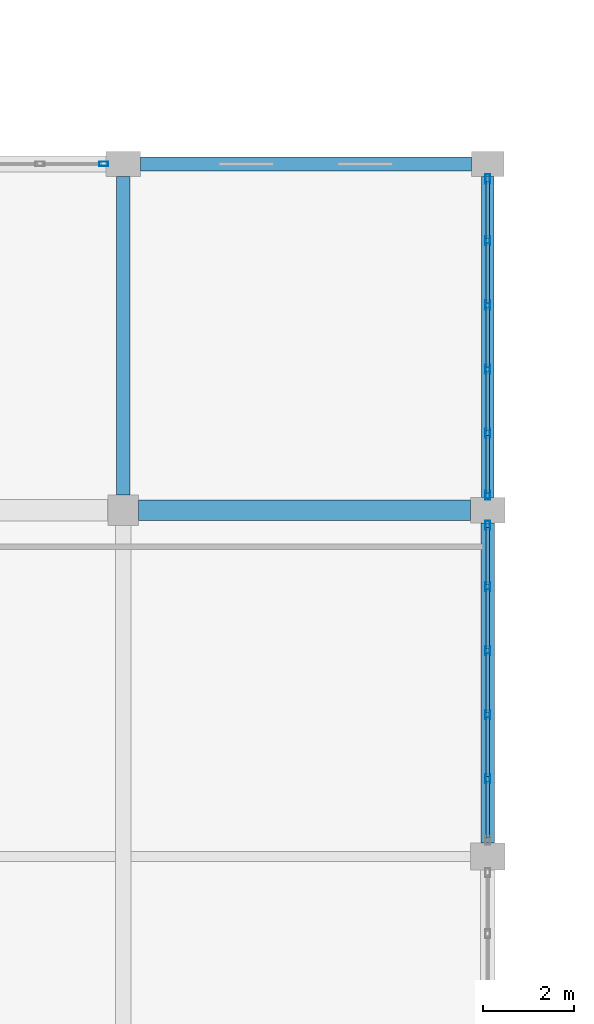
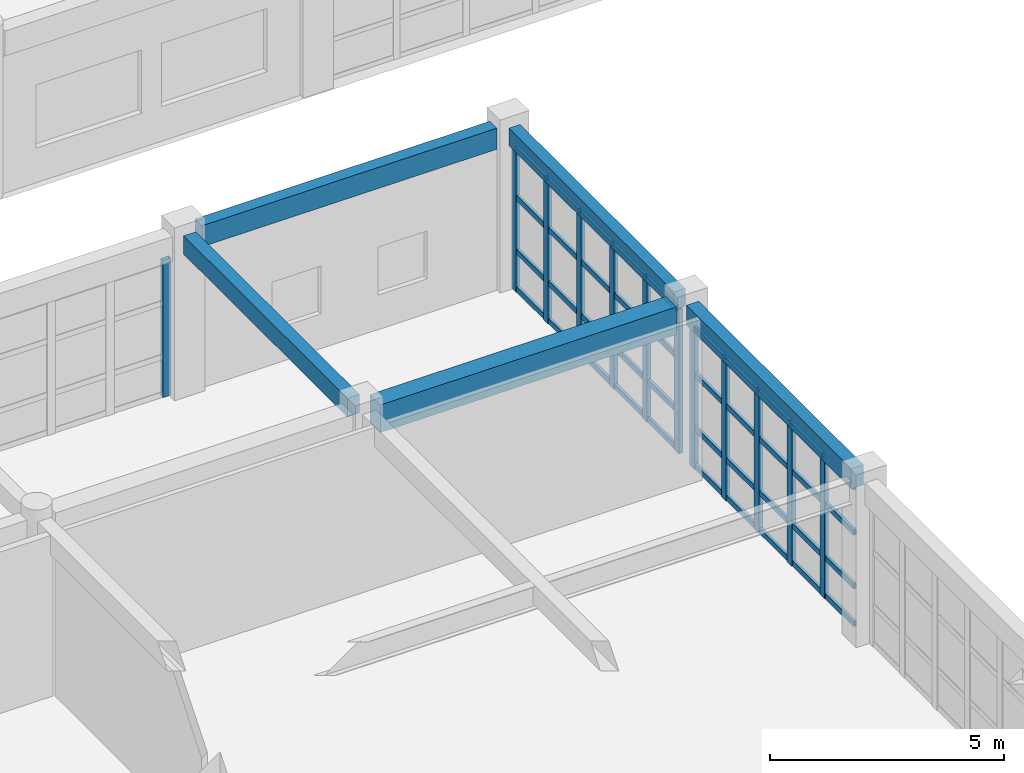
# One storey, part 88 of 160: 52 members, 5 beams, 3 elements without a shape of their own.
"""IFC4 building model written with IfcOpenShell, lengths in metres."""

from ifc_helpers import new_model, si_unit, direction, frame, origin, origin_2d, place, context, subcontext, project, spatial, rectangle, hollow_rectangle, extrude, material, material_profile, profile_set, type_object, element, aggregate, save


model = new_model("IFC4")

# Units and contexts
model_context = context("Model", 3, precision=1e-05, world=origin(), true_north=direction((0.0, 1.0)))
body_context = subcontext(model_context, "Body", "Model", "MODEL_VIEW")
ifc_project = project(units=[si_unit("LENGTHUNIT", "METRE"), si_unit("AREAUNIT", "SQUARE_METRE"), si_unit("VOLUMEUNIT", "CUBIC_METRE"), si_unit("PLANEANGLEUNIT", "RADIAN"), si_unit("MASSUNIT", "GRAM", prefix="KILO")], contexts=[model_context])

# Site, building, storey
site_placement = place(None, origin())
site = spatial("IfcSite", under=ifc_project, at=site_placement, CompositionType="ELEMENT")
building_placement = place(site_placement, origin())
building = spatial("IfcBuilding", under=site, at=building_placement, Name="Kharva Crest Polytechnic", CompositionType="ELEMENT")
storey_placement = place(building_placement, frame((0.0, 0.0, 4.5)))
storey = spatial("IfcBuildingStorey", under=building, at=storey_placement, Name="L01", CompositionType="ELEMENT", Elevation=4.5)

# Beams
ifc_material_1 = material(Name="Concrete C35/45", Category="concrete")
ifc_material_profile_1 = material_profile(ifc_material_1, rectangle(XDim=0.300048828125, YDim=0.47998046875, at=origin_2d()), Name="RECT 300 X 480")
ifc_profile_set_1 = profile_set([ifc_material_profile_1], Name="Concrete C35/45")
beam_type_1 = type_object("IfcBeamType", Name="BM-RC-300X480", PredefinedType="BEAM", material=ifc_profile_set_1)
beam_1_placement = place(storey_placement, frame((160.800048828125, 23.139892578125, 3.97998046875), z_axis=(0.0, 1.0, 0.0), x_axis=(-1.0, 0.0, 0.0)))
element("IfcBeam", 1, at=beam_1_placement, inside=storey, type_object=beam_type_1, Name="L01 Girder 21/D-E", PredefinedType="BEAM", context=body_context, shape_type="SweptSolid", body=[
    extrude(rectangle(XDim=0.300048828125, YDim=0.47998046875, at=origin_2d()), origin(), (0.0, 0.0, 1.0), 6.985107421875),
])
ifc_material_profile_2 = material_profile(ifc_material_1, rectangle(XDim=0.449951171875, YDim=0.719970703125, at=origin_2d()), Name="RECT 450 X 720")
ifc_profile_set_2 = profile_set([ifc_material_profile_2], Name="Concrete C35/45")
beam_type_2 = type_object("IfcBeamType", Name="BM-RC-450X720", PredefinedType="BEAM", material=ifc_profile_set_2)
beam_2_placement = place(storey_placement, frame((161.139892578125, 22.800048828125, 3.860107421875), z_axis=(1.0, 0.0, 0.0), x_axis=(0.0, 1.0, 0.0)))
element("IfcBeam", 2, at=beam_2_placement, inside=storey, type_object=beam_type_2, Name="L01 Beam D/21-22", PredefinedType="BEAM", context=body_context, shape_type="SweptSolid", body=[
    extrude(rectangle(XDim=0.449951171875, YDim=0.719970703125, at=origin_2d()), origin(), (0.0, 0.0, 1.0), 7.28515625),
])

# Curtain wall, members
ifc_material_2 = material(Name="Tempered insulated glass", Category="glass")
curtain_wall_type = type_object("IfcCurtainWallType", Name="CW-SYS-REFECTORY", PredefinedType="USERDEFINED", material=ifc_material_2)
curtain_wall_1_placement = place(storey_placement, origin())
curtain_wall_1 = element("IfcCurtainWall", 3, at=curtain_wall_1_placement, inside=storey, type_object=curtain_wall_type, Name="L01 Glazed Curtain Wall CW-049", ObjectType="CURTAIN WALL", PredefinedType="USERDEFINED")
ifc_material_3 = material(Name="Steel S355", Category="steel")
ifc_material_profile_3 = material_profile(ifc_material_3, hollow_rectangle(XDim=0.10009765625, YDim=0.199951171875, WallThickness=0.00634765625, at=origin_2d()), Name="RHS 200X100X6.3")
ifc_profile_set_3 = profile_set([ifc_material_profile_3], Name="Steel S355")
member_type_1 = type_object("IfcMemberType", Name="CWM-RHS200X100", PredefinedType="MULLION", material=ifc_profile_set_3)
member_1_placement = place(storey_placement, frame((168.800048828125, 16.907958984375, 0.0), z_axis=(0.0, 0.0, 1.0), x_axis=(-1.0, 0.0, 0.0)))
member_1 = element("IfcMember", 4, at=member_1_placement, type_object=member_type_1, Name="CW-049 mullion 2", PredefinedType="MULLION", context=body_context, shape_type="SweptSolid", body=[
    extrude(hollow_rectangle(XDim=0.10009765625, YDim=0.199951171875, WallThickness=0.00634765625, at=origin_2d()), origin(), (0.0, 0.0, 1.0), 3.699951171875),
])
member_2_placement = place(storey_placement, frame((168.800048828125, 18.31103515625, 0.0), z_axis=(0.0, 0.0, 1.0), x_axis=(-1.0, 0.0, 0.0)))
member_2 = element("IfcMember", 5, at=member_2_placement, type_object=member_type_1, Name="CW-049 mullion 3", PredefinedType="MULLION", context=body_context, shape_type="SweptSolid", body=[
    extrude(hollow_rectangle(XDim=0.10009765625, YDim=0.199951171875, WallThickness=0.00634765625, at=origin_2d()), origin(), (0.0, 0.0, 1.0), 3.699951171875),
])
member_3_placement = place(storey_placement, frame((168.800048828125, 19.714111328125, 0.0), z_axis=(0.0, 0.0, 1.0), x_axis=(-1.0, 0.0, 0.0)))
member_3 = element("IfcMember", 6, at=member_3_placement, type_object=member_type_1, Name="CW-049 mullion 4", PredefinedType="MULLION", context=body_context, shape_type="SweptSolid", body=[
    extrude(hollow_rectangle(XDim=0.10009765625, YDim=0.199951171875, WallThickness=0.00634765625, at=origin_2d()), origin(), (0.0, 0.0, 1.0), 3.699951171875),
])
member_4_placement = place(storey_placement, frame((168.800048828125, 21.116943359375, 0.0), z_axis=(0.0, 0.0, 1.0), x_axis=(-1.0, 0.0, 0.0)))
member_4 = element("IfcMember", 7, at=member_4_placement, type_object=member_type_1, Name="CW-049 mullion 5", PredefinedType="MULLION", context=body_context, shape_type="SweptSolid", body=[
    extrude(hollow_rectangle(XDim=0.10009765625, YDim=0.199951171875, WallThickness=0.00634765625, at=origin_2d()), origin(), (0.0, 0.0, 1.0), 3.699951171875),
])
member_5_placement = place(storey_placement, frame((168.800048828125, 22.469970703125, 0.0), z_axis=(0.0, 0.0, 1.0), x_axis=(-1.0, 0.0, 0.0)))
member_5 = element("IfcMember", 8, at=member_5_placement, type_object=member_type_1, Name="CW-049 mullion 6", PredefinedType="MULLION", context=body_context, shape_type="SweptSolid", body=[
    extrude(hollow_rectangle(XDim=0.10009765625, YDim=0.199951171875, WallThickness=0.00634765625, at=origin_2d()), origin(), (0.0, 0.0, 1.0), 3.699951171875),
])

curtain_wall_2_placement = place(storey_placement, origin())
curtain_wall_2 = element("IfcCurtainWall", 9, at=curtain_wall_2_placement, inside=storey, type_object=curtain_wall_type, Name="L01 Glazed Curtain Wall CW-050", ObjectType="CURTAIN WALL", PredefinedType="USERDEFINED")
member_6_placement = place(storey_placement, frame((168.800048828125, 23.1298828125, 0.0), z_axis=(0.0, 0.0, 1.0), x_axis=(-1.0, 0.0, 0.0)))
member_6 = element("IfcMember", 10, at=member_6_placement, type_object=member_type_1, Name="CW-050 mullion 1", PredefinedType="MULLION", context=body_context, shape_type="SweptSolid", body=[
    extrude(hollow_rectangle(XDim=0.10009765625, YDim=0.199951171875, WallThickness=0.00634765625, at=origin_2d()), origin(), (0.0, 0.0, 1.0), 3.760009765625),
])
member_7_placement = place(storey_placement, frame((168.800048828125, 24.488037109375, 0.0), z_axis=(0.0, 0.0, 1.0), x_axis=(-1.0, 0.0, 0.0)))
member_7 = element("IfcMember", 11, at=member_7_placement, type_object=member_type_1, Name="CW-050 mullion 2", PredefinedType="MULLION", context=body_context, shape_type="SweptSolid", body=[
    extrude(hollow_rectangle(XDim=0.10009765625, YDim=0.199951171875, WallThickness=0.00634765625, at=origin_2d()), origin(), (0.0, 0.0, 1.0), 3.760009765625),
])
member_8_placement = place(storey_placement, frame((168.800048828125, 25.89599609375, 0.0), z_axis=(0.0, 0.0, 1.0), x_axis=(-1.0, 0.0, 0.0)))
member_8 = element("IfcMember", 12, at=member_8_placement, type_object=member_type_1, Name="CW-050 mullion 3", PredefinedType="MULLION", context=body_context, shape_type="SweptSolid", body=[
    extrude(hollow_rectangle(XDim=0.10009765625, YDim=0.199951171875, WallThickness=0.00634765625, at=origin_2d()), origin(), (0.0, 0.0, 1.0), 3.760009765625),
])
member_9_placement = place(storey_placement, frame((168.800048828125, 27.303955078125, 0.0), z_axis=(0.0, 0.0, 1.0), x_axis=(-1.0, 0.0, 0.0)))
member_9 = element("IfcMember", 13, at=member_9_placement, type_object=member_type_1, Name="CW-050 mullion 4", PredefinedType="MULLION", context=body_context, shape_type="SweptSolid", body=[
    extrude(hollow_rectangle(XDim=0.10009765625, YDim=0.199951171875, WallThickness=0.00634765625, at=origin_2d()), origin(), (0.0, 0.0, 1.0), 3.760009765625),
])
member_10_placement = place(storey_placement, frame((168.800048828125, 28.7119140625, 0.0), z_axis=(0.0, 0.0, 1.0), x_axis=(-1.0, 0.0, 0.0)))
member_10 = element("IfcMember", 14, at=member_10_placement, type_object=member_type_1, Name="CW-050 mullion 5", PredefinedType="MULLION", context=body_context, shape_type="SweptSolid", body=[
    extrude(hollow_rectangle(XDim=0.10009765625, YDim=0.199951171875, WallThickness=0.00634765625, at=origin_2d()), origin(), (0.0, 0.0, 1.0), 3.760009765625),
])
member_11_placement = place(storey_placement, frame((168.800048828125, 30.070068359375, 0.0), z_axis=(0.0, 0.0, 1.0), x_axis=(-1.0, 0.0, 0.0)))
member_11 = element("IfcMember", 15, at=member_11_placement, type_object=member_type_1, Name="CW-050 mullion 6", PredefinedType="MULLION", context=body_context, shape_type="SweptSolid", body=[
    extrude(hollow_rectangle(XDim=0.10009765625, YDim=0.199951171875, WallThickness=0.00634765625, at=origin_2d()), origin(), (0.0, 0.0, 1.0), 3.760009765625),
])

# Curtain wall, member
curtain_wall_3_placement = place(storey_placement, origin())
curtain_wall_3 = element("IfcCurtainWall", 16, at=curtain_wall_3_placement, inside=storey, type_object=curtain_wall_type, Name="L01 Glazed Curtain Wall CW-051", ObjectType="CURTAIN WALL", PredefinedType="USERDEFINED")
member_12_placement = place(storey_placement, frame((160.3701171875, 30.39990234375, 0.0), z_axis=(0.0, 0.0, 1.0), x_axis=(0.0, -1.0, 0.0)))
member_12 = element("IfcMember", 17, at=member_12_placement, type_object=member_type_1, Name="CW-051 mullion 1", PredefinedType="MULLION", context=body_context, shape_type="SweptSolid", body=[
    extrude(hollow_rectangle(XDim=0.10009765625, YDim=0.199951171875, WallThickness=0.00634765625, at=origin_2d()), origin(), (0.0, 0.0, 1.0), 3.570068359375),
])
aggregate(curtain_wall_3, [member_12])

# Member
ifc_material_profile_4 = material_profile(ifc_material_3, hollow_rectangle(XDim=0.070068359375, YDim=0.139892578125, WallThickness=0.00390625, at=origin_2d()), Name="RHS 140X70X4.0")
ifc_profile_set_4 = profile_set([ifc_material_profile_4], Name="Steel S355")
member_type_2 = type_object("IfcMemberType", Name="CWT-RHS140X70", PredefinedType="USERDEFINED", material=ifc_profile_set_4)
member_13_placement = place(storey_placement, frame((168.800048828125, 15.60498046875, 0.070068359375), z_axis=(0.0, 1.0, 0.0), x_axis=(-1.0, 0.0, 0.0)))
member_13 = element("IfcMember", 18, at=member_13_placement, type_object=member_type_2, Name="CW-049 transom 1.1", ObjectType="TRANSOM", PredefinedType="USERDEFINED", context=body_context, shape_type="SweptSolid", body=[
    extrude(hollow_rectangle(XDim=0.070068359375, YDim=0.139892578125, WallThickness=0.00390625, at=origin_2d()), origin(), (0.0, 0.0, 1.0), 1.2529296875),
])

member_14_placement = place(storey_placement, frame((168.800048828125, 15.60498046875, 1.050048828125), z_axis=(0.0, 1.0, 0.0), x_axis=(-1.0, 0.0, 0.0)))
member_14 = element("IfcMember", 19, at=member_14_placement, type_object=member_type_2, Name="CW-049 transom 1.2", ObjectType="TRANSOM", PredefinedType="USERDEFINED", context=body_context, shape_type="SweptSolid", body=[
    extrude(hollow_rectangle(XDim=0.070068359375, YDim=0.139892578125, WallThickness=0.00390625, at=origin_2d()), origin(), (0.0, 0.0, 1.0), 1.2529296875),
])

member_15_placement = place(storey_placement, frame((168.800048828125, 15.60498046875, 2.449951171875), z_axis=(0.0, 1.0, 0.0), x_axis=(-1.0, 0.0, 0.0)))
member_15 = element("IfcMember", 20, at=member_15_placement, type_object=member_type_2, Name="CW-049 transom 1.3", ObjectType="TRANSOM", PredefinedType="USERDEFINED", context=body_context, shape_type="SweptSolid", body=[
    extrude(hollow_rectangle(XDim=0.070068359375, YDim=0.139892578125, WallThickness=0.00390625, at=origin_2d()), origin(), (0.0, 0.0, 1.0), 1.2529296875),
])

member_16_placement = place(storey_placement, frame((168.800048828125, 15.60498046875, 3.6298828125), z_axis=(0.0, 1.0, 0.0), x_axis=(-1.0, 0.0, 0.0)))
member_16 = element("IfcMember", 21, at=member_16_placement, type_object=member_type_2, Name="CW-049 transom 1.4", ObjectType="TRANSOM", PredefinedType="USERDEFINED", context=body_context, shape_type="SweptSolid", body=[
    extrude(hollow_rectangle(XDim=0.070068359375, YDim=0.139892578125, WallThickness=0.00390625, at=origin_2d()), origin(), (0.0, 0.0, 1.0), 1.2529296875),
])

member_17_placement = place(storey_placement, frame((168.800048828125, 16.9580078125, 0.070068359375), z_axis=(0.0, 1.0, 0.0), x_axis=(-1.0, 0.0, 0.0)))
member_17 = element("IfcMember", 22, at=member_17_placement, type_object=member_type_2, Name="CW-049 transom 2.1", ObjectType="TRANSOM", PredefinedType="USERDEFINED", context=body_context, shape_type="SweptSolid", body=[
    extrude(hollow_rectangle(XDim=0.070068359375, YDim=0.139892578125, WallThickness=0.00390625, at=origin_2d()), origin(), (0.0, 0.0, 1.0), 1.302978515625),
])

member_18_placement = place(storey_placement, frame((168.800048828125, 16.9580078125, 1.050048828125), z_axis=(0.0, 1.0, 0.0), x_axis=(-1.0, 0.0, 0.0)))
member_18 = element("IfcMember", 23, at=member_18_placement, type_object=member_type_2, Name="CW-049 transom 2.2", ObjectType="TRANSOM", PredefinedType="USERDEFINED", context=body_context, shape_type="SweptSolid", body=[
    extrude(hollow_rectangle(XDim=0.070068359375, YDim=0.139892578125, WallThickness=0.00390625, at=origin_2d()), origin(), (0.0, 0.0, 1.0), 1.302978515625),
])

member_19_placement = place(storey_placement, frame((168.800048828125, 16.9580078125, 2.449951171875), z_axis=(0.0, 1.0, 0.0), x_axis=(-1.0, 0.0, 0.0)))
member_19 = element("IfcMember", 24, at=member_19_placement, type_object=member_type_2, Name="CW-049 transom 2.3", ObjectType="TRANSOM", PredefinedType="USERDEFINED", context=body_context, shape_type="SweptSolid", body=[
    extrude(hollow_rectangle(XDim=0.070068359375, YDim=0.139892578125, WallThickness=0.00390625, at=origin_2d()), origin(), (0.0, 0.0, 1.0), 1.302978515625),
])

member_20_placement = place(storey_placement, frame((168.800048828125, 16.9580078125, 3.6298828125), z_axis=(0.0, 1.0, 0.0), x_axis=(-1.0, 0.0, 0.0)))
member_20 = element("IfcMember", 25, at=member_20_placement, type_object=member_type_2, Name="CW-049 transom 2.4", ObjectType="TRANSOM", PredefinedType="USERDEFINED", context=body_context, shape_type="SweptSolid", body=[
    extrude(hollow_rectangle(XDim=0.070068359375, YDim=0.139892578125, WallThickness=0.00390625, at=origin_2d()), origin(), (0.0, 0.0, 1.0), 1.302978515625),
])

member_21_placement = place(storey_placement, frame((168.800048828125, 18.361083984375, 0.070068359375), z_axis=(0.0, 1.0, 0.0), x_axis=(-1.0, 0.0, 0.0)))
member_21 = element("IfcMember", 26, at=member_21_placement, type_object=member_type_2, Name="CW-049 transom 3.1", ObjectType="TRANSOM", PredefinedType="USERDEFINED", context=body_context, shape_type="SweptSolid", body=[
    extrude(hollow_rectangle(XDim=0.070068359375, YDim=0.139892578125, WallThickness=0.00390625, at=origin_2d()), origin(), (0.0, 0.0, 1.0), 1.302978515625),
])

member_22_placement = place(storey_placement, frame((168.800048828125, 18.361083984375, 1.050048828125), z_axis=(0.0, 1.0, 0.0), x_axis=(-1.0, 0.0, 0.0)))
member_22 = element("IfcMember", 27, at=member_22_placement, type_object=member_type_2, Name="CW-049 transom 3.2", ObjectType="TRANSOM", PredefinedType="USERDEFINED", context=body_context, shape_type="SweptSolid", body=[
    extrude(hollow_rectangle(XDim=0.070068359375, YDim=0.139892578125, WallThickness=0.00390625, at=origin_2d()), origin(), (0.0, 0.0, 1.0), 1.302978515625),
])

member_23_placement = place(storey_placement, frame((168.800048828125, 18.361083984375, 2.449951171875), z_axis=(0.0, 1.0, 0.0), x_axis=(-1.0, 0.0, 0.0)))
member_23 = element("IfcMember", 28, at=member_23_placement, type_object=member_type_2, Name="CW-049 transom 3.3", ObjectType="TRANSOM", PredefinedType="USERDEFINED", context=body_context, shape_type="SweptSolid", body=[
    extrude(hollow_rectangle(XDim=0.070068359375, YDim=0.139892578125, WallThickness=0.00390625, at=origin_2d()), origin(), (0.0, 0.0, 1.0), 1.302978515625),
])

member_24_placement = place(storey_placement, frame((168.800048828125, 18.361083984375, 3.6298828125), z_axis=(0.0, 1.0, 0.0), x_axis=(-1.0, 0.0, 0.0)))
member_24 = element("IfcMember", 29, at=member_24_placement, type_object=member_type_2, Name="CW-049 transom 3.4", ObjectType="TRANSOM", PredefinedType="USERDEFINED", context=body_context, shape_type="SweptSolid", body=[
    extrude(hollow_rectangle(XDim=0.070068359375, YDim=0.139892578125, WallThickness=0.00390625, at=origin_2d()), origin(), (0.0, 0.0, 1.0), 1.302978515625),
])

member_25_placement = place(storey_placement, frame((168.800048828125, 19.763916015625, 0.070068359375), z_axis=(0.0, 1.0, 0.0), x_axis=(-1.0, 0.0, 0.0)))
member_25 = element("IfcMember", 30, at=member_25_placement, type_object=member_type_2, Name="CW-049 transom 4.1", ObjectType="TRANSOM", PredefinedType="USERDEFINED", context=body_context, shape_type="SweptSolid", body=[
    extrude(hollow_rectangle(XDim=0.070068359375, YDim=0.139892578125, WallThickness=0.00390625, at=origin_2d()), origin(), (0.0, 0.0, 1.0), 1.302978515625),
])

member_26_placement = place(storey_placement, frame((168.800048828125, 19.763916015625, 1.050048828125), z_axis=(0.0, 1.0, 0.0), x_axis=(-1.0, 0.0, 0.0)))
member_26 = element("IfcMember", 31, at=member_26_placement, type_object=member_type_2, Name="CW-049 transom 4.2", ObjectType="TRANSOM", PredefinedType="USERDEFINED", context=body_context, shape_type="SweptSolid", body=[
    extrude(hollow_rectangle(XDim=0.070068359375, YDim=0.139892578125, WallThickness=0.00390625, at=origin_2d()), origin(), (0.0, 0.0, 1.0), 1.302978515625),
])

member_27_placement = place(storey_placement, frame((168.800048828125, 19.763916015625, 2.449951171875), z_axis=(0.0, 1.0, 0.0), x_axis=(-1.0, 0.0, 0.0)))
member_27 = element("IfcMember", 32, at=member_27_placement, type_object=member_type_2, Name="CW-049 transom 4.3", ObjectType="TRANSOM", PredefinedType="USERDEFINED", context=body_context, shape_type="SweptSolid", body=[
    extrude(hollow_rectangle(XDim=0.070068359375, YDim=0.139892578125, WallThickness=0.00390625, at=origin_2d()), origin(), (0.0, 0.0, 1.0), 1.302978515625),
])

member_28_placement = place(storey_placement, frame((168.800048828125, 19.763916015625, 3.6298828125), z_axis=(0.0, 1.0, 0.0), x_axis=(-1.0, 0.0, 0.0)))
member_28 = element("IfcMember", 33, at=member_28_placement, type_object=member_type_2, Name="CW-049 transom 4.4", ObjectType="TRANSOM", PredefinedType="USERDEFINED", context=body_context, shape_type="SweptSolid", body=[
    extrude(hollow_rectangle(XDim=0.070068359375, YDim=0.139892578125, WallThickness=0.00390625, at=origin_2d()), origin(), (0.0, 0.0, 1.0), 1.302978515625),
])

member_29_placement = place(storey_placement, frame((168.800048828125, 21.1669921875, 0.070068359375), z_axis=(0.0, 1.0, 0.0), x_axis=(-1.0, 0.0, 0.0)))
member_29 = element("IfcMember", 34, at=member_29_placement, type_object=member_type_2, Name="CW-049 transom 5.1", ObjectType="TRANSOM", PredefinedType="USERDEFINED", context=body_context, shape_type="SweptSolid", body=[
    extrude(hollow_rectangle(XDim=0.070068359375, YDim=0.139892578125, WallThickness=0.00390625, at=origin_2d()), origin(), (0.0, 0.0, 1.0), 1.2529296875),
])

member_30_placement = place(storey_placement, frame((168.800048828125, 21.1669921875, 1.050048828125), z_axis=(0.0, 1.0, 0.0), x_axis=(-1.0, 0.0, 0.0)))
member_30 = element("IfcMember", 35, at=member_30_placement, type_object=member_type_2, Name="CW-049 transom 5.2", ObjectType="TRANSOM", PredefinedType="USERDEFINED", context=body_context, shape_type="SweptSolid", body=[
    extrude(hollow_rectangle(XDim=0.070068359375, YDim=0.139892578125, WallThickness=0.00390625, at=origin_2d()), origin(), (0.0, 0.0, 1.0), 1.2529296875),
])

member_31_placement = place(storey_placement, frame((168.800048828125, 21.1669921875, 2.449951171875), z_axis=(0.0, 1.0, 0.0), x_axis=(-1.0, 0.0, 0.0)))
member_31 = element("IfcMember", 36, at=member_31_placement, type_object=member_type_2, Name="CW-049 transom 5.3", ObjectType="TRANSOM", PredefinedType="USERDEFINED", context=body_context, shape_type="SweptSolid", body=[
    extrude(hollow_rectangle(XDim=0.070068359375, YDim=0.139892578125, WallThickness=0.00390625, at=origin_2d()), origin(), (0.0, 0.0, 1.0), 1.2529296875),
])

member_32_placement = place(storey_placement, frame((168.800048828125, 21.1669921875, 3.6298828125), z_axis=(0.0, 1.0, 0.0), x_axis=(-1.0, 0.0, 0.0)))
member_32 = element("IfcMember", 37, at=member_32_placement, type_object=member_type_2, Name="CW-049 transom 5.4", ObjectType="TRANSOM", PredefinedType="USERDEFINED", context=body_context, shape_type="SweptSolid", body=[
    extrude(hollow_rectangle(XDim=0.070068359375, YDim=0.139892578125, WallThickness=0.00390625, at=origin_2d()), origin(), (0.0, 0.0, 1.0), 1.2529296875),
])

aggregate(curtain_wall_1, [member_1, member_2, member_3, member_4, member_5, member_13, member_14, member_15, member_16, member_17, member_18, member_19, member_20, member_21, member_22, member_23, member_24, member_25, member_26, member_27, member_28, member_29, member_30, member_31, member_32])

member_33_placement = place(storey_placement, frame((168.800048828125, 23.179931640625, 0.070068359375), z_axis=(0.0, 1.0, 0.0), x_axis=(-1.0, 0.0, 0.0)))
member_33 = element("IfcMember", 38, at=member_33_placement, type_object=member_type_2, Name="CW-050 transom 1.1", ObjectType="TRANSOM", PredefinedType="USERDEFINED", context=body_context, shape_type="SweptSolid", body=[
    extrude(hollow_rectangle(XDim=0.070068359375, YDim=0.139892578125, WallThickness=0.00390625, at=origin_2d()), origin(), (0.0, 0.0, 1.0), 1.258056640625),
])

member_34_placement = place(storey_placement, frame((168.800048828125, 23.179931640625, 1.050048828125), z_axis=(0.0, 1.0, 0.0), x_axis=(-1.0, 0.0, 0.0)))
member_34 = element("IfcMember", 39, at=member_34_placement, type_object=member_type_2, Name="CW-050 transom 1.2", ObjectType="TRANSOM", PredefinedType="USERDEFINED", context=body_context, shape_type="SweptSolid", body=[
    extrude(hollow_rectangle(XDim=0.070068359375, YDim=0.139892578125, WallThickness=0.00390625, at=origin_2d()), origin(), (0.0, 0.0, 1.0), 1.258056640625),
])

member_35_placement = place(storey_placement, frame((168.800048828125, 23.179931640625, 2.449951171875), z_axis=(0.0, 1.0, 0.0), x_axis=(-1.0, 0.0, 0.0)))
member_35 = element("IfcMember", 40, at=member_35_placement, type_object=member_type_2, Name="CW-050 transom 1.3", ObjectType="TRANSOM", PredefinedType="USERDEFINED", context=body_context, shape_type="SweptSolid", body=[
    extrude(hollow_rectangle(XDim=0.070068359375, YDim=0.139892578125, WallThickness=0.00390625, at=origin_2d()), origin(), (0.0, 0.0, 1.0), 1.258056640625),
])

member_36_placement = place(storey_placement, frame((168.800048828125, 23.179931640625, 3.68994140625), z_axis=(0.0, 1.0, 0.0), x_axis=(-1.0, 0.0, 0.0)))
member_36 = element("IfcMember", 41, at=member_36_placement, type_object=member_type_2, Name="CW-050 transom 1.4", ObjectType="TRANSOM", PredefinedType="USERDEFINED", context=body_context, shape_type="SweptSolid", body=[
    extrude(hollow_rectangle(XDim=0.070068359375, YDim=0.139892578125, WallThickness=0.00390625, at=origin_2d()), origin(), (0.0, 0.0, 1.0), 1.258056640625),
])

member_37_placement = place(storey_placement, frame((168.800048828125, 24.5380859375, 0.070068359375), z_axis=(0.0, 1.0, 0.0), x_axis=(-1.0, 0.0, 0.0)))
member_37 = element("IfcMember", 42, at=member_37_placement, type_object=member_type_2, Name="CW-050 transom 2.1", ObjectType="TRANSOM", PredefinedType="USERDEFINED", context=body_context, shape_type="SweptSolid", body=[
    extrude(hollow_rectangle(XDim=0.070068359375, YDim=0.139892578125, WallThickness=0.00390625, at=origin_2d()), origin(), (0.0, 0.0, 1.0), 1.307861328125),
])

member_38_placement = place(storey_placement, frame((168.800048828125, 24.5380859375, 1.050048828125), z_axis=(0.0, 1.0, 0.0), x_axis=(-1.0, 0.0, 0.0)))
member_38 = element("IfcMember", 43, at=member_38_placement, type_object=member_type_2, Name="CW-050 transom 2.2", ObjectType="TRANSOM", PredefinedType="USERDEFINED", context=body_context, shape_type="SweptSolid", body=[
    extrude(hollow_rectangle(XDim=0.070068359375, YDim=0.139892578125, WallThickness=0.00390625, at=origin_2d()), origin(), (0.0, 0.0, 1.0), 1.307861328125),
])

member_39_placement = place(storey_placement, frame((168.800048828125, 24.5380859375, 2.449951171875), z_axis=(0.0, 1.0, 0.0), x_axis=(-1.0, 0.0, 0.0)))
member_39 = element("IfcMember", 44, at=member_39_placement, type_object=member_type_2, Name="CW-050 transom 2.3", ObjectType="TRANSOM", PredefinedType="USERDEFINED", context=body_context, shape_type="SweptSolid", body=[
    extrude(hollow_rectangle(XDim=0.070068359375, YDim=0.139892578125, WallThickness=0.00390625, at=origin_2d()), origin(), (0.0, 0.0, 1.0), 1.307861328125),
])

member_40_placement = place(storey_placement, frame((168.800048828125, 24.5380859375, 3.68994140625), z_axis=(0.0, 1.0, 0.0), x_axis=(-1.0, 0.0, 0.0)))
member_40 = element("IfcMember", 45, at=member_40_placement, type_object=member_type_2, Name="CW-050 transom 2.4", ObjectType="TRANSOM", PredefinedType="USERDEFINED", context=body_context, shape_type="SweptSolid", body=[
    extrude(hollow_rectangle(XDim=0.070068359375, YDim=0.139892578125, WallThickness=0.00390625, at=origin_2d()), origin(), (0.0, 0.0, 1.0), 1.307861328125),
])

member_41_placement = place(storey_placement, frame((168.800048828125, 25.946044921875, 0.070068359375), z_axis=(0.0, 1.0, 0.0), x_axis=(-1.0, 0.0, 0.0)))
member_41 = element("IfcMember", 46, at=member_41_placement, type_object=member_type_2, Name="CW-050 transom 3.1", ObjectType="TRANSOM", PredefinedType="USERDEFINED", context=body_context, shape_type="SweptSolid", body=[
    extrude(hollow_rectangle(XDim=0.070068359375, YDim=0.139892578125, WallThickness=0.00390625, at=origin_2d()), origin(), (0.0, 0.0, 1.0), 1.307861328125),
])

member_42_placement = place(storey_placement, frame((168.800048828125, 25.946044921875, 1.050048828125), z_axis=(0.0, 1.0, 0.0), x_axis=(-1.0, 0.0, 0.0)))
member_42 = element("IfcMember", 47, at=member_42_placement, type_object=member_type_2, Name="CW-050 transom 3.2", ObjectType="TRANSOM", PredefinedType="USERDEFINED", context=body_context, shape_type="SweptSolid", body=[
    extrude(hollow_rectangle(XDim=0.070068359375, YDim=0.139892578125, WallThickness=0.00390625, at=origin_2d()), origin(), (0.0, 0.0, 1.0), 1.307861328125),
])

member_43_placement = place(storey_placement, frame((168.800048828125, 25.946044921875, 2.449951171875), z_axis=(0.0, 1.0, 0.0), x_axis=(-1.0, 0.0, 0.0)))
member_43 = element("IfcMember", 48, at=member_43_placement, type_object=member_type_2, Name="CW-050 transom 3.3", ObjectType="TRANSOM", PredefinedType="USERDEFINED", context=body_context, shape_type="SweptSolid", body=[
    extrude(hollow_rectangle(XDim=0.070068359375, YDim=0.139892578125, WallThickness=0.00390625, at=origin_2d()), origin(), (0.0, 0.0, 1.0), 1.307861328125),
])

member_44_placement = place(storey_placement, frame((168.800048828125, 25.946044921875, 3.68994140625), z_axis=(0.0, 1.0, 0.0), x_axis=(-1.0, 0.0, 0.0)))
member_44 = element("IfcMember", 49, at=member_44_placement, type_object=member_type_2, Name="CW-050 transom 3.4", ObjectType="TRANSOM", PredefinedType="USERDEFINED", context=body_context, shape_type="SweptSolid", body=[
    extrude(hollow_rectangle(XDim=0.070068359375, YDim=0.139892578125, WallThickness=0.00390625, at=origin_2d()), origin(), (0.0, 0.0, 1.0), 1.307861328125),
])

member_45_placement = place(storey_placement, frame((168.800048828125, 27.35400390625, 0.070068359375), z_axis=(0.0, 1.0, 0.0), x_axis=(-1.0, 0.0, 0.0)))
member_45 = element("IfcMember", 50, at=member_45_placement, type_object=member_type_2, Name="CW-050 transom 4.1", ObjectType="TRANSOM", PredefinedType="USERDEFINED", context=body_context, shape_type="SweptSolid", body=[
    extrude(hollow_rectangle(XDim=0.070068359375, YDim=0.139892578125, WallThickness=0.00390625, at=origin_2d()), origin(), (0.0, 0.0, 1.0), 1.30810546875),
])

member_46_placement = place(storey_placement, frame((168.800048828125, 27.35400390625, 1.050048828125), z_axis=(0.0, 1.0, 0.0), x_axis=(-1.0, 0.0, 0.0)))
member_46 = element("IfcMember", 51, at=member_46_placement, type_object=member_type_2, Name="CW-050 transom 4.2", ObjectType="TRANSOM", PredefinedType="USERDEFINED", context=body_context, shape_type="SweptSolid", body=[
    extrude(hollow_rectangle(XDim=0.070068359375, YDim=0.139892578125, WallThickness=0.00390625, at=origin_2d()), origin(), (0.0, 0.0, 1.0), 1.30810546875),
])

member_47_placement = place(storey_placement, frame((168.800048828125, 27.35400390625, 2.449951171875), z_axis=(0.0, 1.0, 0.0), x_axis=(-1.0, 0.0, 0.0)))
member_47 = element("IfcMember", 52, at=member_47_placement, type_object=member_type_2, Name="CW-050 transom 4.3", ObjectType="TRANSOM", PredefinedType="USERDEFINED", context=body_context, shape_type="SweptSolid", body=[
    extrude(hollow_rectangle(XDim=0.070068359375, YDim=0.139892578125, WallThickness=0.00390625, at=origin_2d()), origin(), (0.0, 0.0, 1.0), 1.30810546875),
])

member_48_placement = place(storey_placement, frame((168.800048828125, 27.35400390625, 3.68994140625), z_axis=(0.0, 1.0, 0.0), x_axis=(-1.0, 0.0, 0.0)))
member_48 = element("IfcMember", 53, at=member_48_placement, type_object=member_type_2, Name="CW-050 transom 4.4", ObjectType="TRANSOM", PredefinedType="USERDEFINED", context=body_context, shape_type="SweptSolid", body=[
    extrude(hollow_rectangle(XDim=0.070068359375, YDim=0.139892578125, WallThickness=0.00390625, at=origin_2d()), origin(), (0.0, 0.0, 1.0), 1.30810546875),
])

member_49_placement = place(storey_placement, frame((168.800048828125, 28.761962890625, 0.070068359375), z_axis=(0.0, 1.0, 0.0), x_axis=(-1.0, 0.0, 0.0)))
member_49 = element("IfcMember", 54, at=member_49_placement, type_object=member_type_2, Name="CW-050 transom 5.1", ObjectType="TRANSOM", PredefinedType="USERDEFINED", context=body_context, shape_type="SweptSolid", body=[
    extrude(hollow_rectangle(XDim=0.070068359375, YDim=0.139892578125, WallThickness=0.00390625, at=origin_2d()), origin(), (0.0, 0.0, 1.0), 1.258056640625),
])

member_50_placement = place(storey_placement, frame((168.800048828125, 28.761962890625, 1.050048828125), z_axis=(0.0, 1.0, 0.0), x_axis=(-1.0, 0.0, 0.0)))
member_50 = element("IfcMember", 55, at=member_50_placement, type_object=member_type_2, Name="CW-050 transom 5.2", ObjectType="TRANSOM", PredefinedType="USERDEFINED", context=body_context, shape_type="SweptSolid", body=[
    extrude(hollow_rectangle(XDim=0.070068359375, YDim=0.139892578125, WallThickness=0.00390625, at=origin_2d()), origin(), (0.0, 0.0, 1.0), 1.258056640625),
])

member_51_placement = place(storey_placement, frame((168.800048828125, 28.761962890625, 2.449951171875), z_axis=(0.0, 1.0, 0.0), x_axis=(-1.0, 0.0, 0.0)))
member_51 = element("IfcMember", 56, at=member_51_placement, type_object=member_type_2, Name="CW-050 transom 5.3", ObjectType="TRANSOM", PredefinedType="USERDEFINED", context=body_context, shape_type="SweptSolid", body=[
    extrude(hollow_rectangle(XDim=0.070068359375, YDim=0.139892578125, WallThickness=0.00390625, at=origin_2d()), origin(), (0.0, 0.0, 1.0), 1.258056640625),
])

member_52_placement = place(storey_placement, frame((168.800048828125, 28.761962890625, 3.68994140625), z_axis=(0.0, 1.0, 0.0), x_axis=(-1.0, 0.0, 0.0)))
member_52 = element("IfcMember", 57, at=member_52_placement, type_object=member_type_2, Name="CW-050 transom 5.4", ObjectType="TRANSOM", PredefinedType="USERDEFINED", context=body_context, shape_type="SweptSolid", body=[
    extrude(hollow_rectangle(XDim=0.070068359375, YDim=0.139892578125, WallThickness=0.00390625, at=origin_2d()), origin(), (0.0, 0.0, 1.0), 1.258056640625),
])

aggregate(curtain_wall_2, [member_6, member_7, member_8, member_9, member_10, member_11, member_33, member_34, member_35, member_36, member_37, member_38, member_39, member_40, member_41, member_42, member_43, member_44, member_45, member_46, member_47, member_48, member_49, member_50, member_51, member_52])

# Beams
ifc_material_profile_5 = material_profile(ifc_material_1, rectangle(XDim=0.280029296875, YDim=0.4599609375, at=origin_2d()), Name="RECT 280 X 460")
ifc_profile_set_5 = profile_set([ifc_material_profile_5], Name="Concrete C35/45")
beam_type_3 = type_object("IfcBeamType", Name="SP-RC-280X460", PredefinedType="SPANDREL", material=ifc_profile_set_5)
beam_3_placement = place(storey_placement, frame((168.800048828125, 23.074951171875, 3.989990234375), z_axis=(0.0, 1.0, 0.0), x_axis=(-1.0, 0.0, 0.0)))
element("IfcBeam", 58, at=beam_3_placement, inside=storey, type_object=beam_type_3, Name="L01 Girder 22/D-E", PredefinedType="SPANDREL", context=body_context, shape_type="SweptSolid", body=[
    extrude(rectangle(XDim=0.280029296875, YDim=0.4599609375, at=origin_2d()), origin(), (0.0, 0.0, 1.0), 7.050048828125),
])
ifc_material_profile_6 = material_profile(ifc_material_1, rectangle(XDim=0.300048828125, YDim=0.52001953125, at=origin_2d()), Name="RECT 300 X 520")
ifc_profile_set_6 = profile_set([ifc_material_profile_6], Name="Concrete C35/45")
beam_type_4 = type_object("IfcBeamType", Name="SP-RC-300X520", PredefinedType="SPANDREL", material=ifc_profile_set_6)
beam_4_placement = place(storey_placement, frame((168.800048828125, 15.5, 3.9599609375), z_axis=(0.0, 1.0, 0.0), x_axis=(-1.0, 0.0, 0.0)))
element("IfcBeam", 59, at=beam_4_placement, inside=storey, type_object=beam_type_4, Name="L01 Girder 22/C-D", PredefinedType="SPANDREL", context=body_context, shape_type="SweptSolid", body=[
    extrude(rectangle(XDim=0.300048828125, YDim=0.52001953125, at=origin_2d()), origin(), (0.0, 0.0, 1.0), 7.02490234375),
])
ifc_material_profile_7 = material_profile(ifc_material_1, rectangle(XDim=0.300048828125, YDim=0.550048828125, at=origin_2d()), Name="RECT 300 X 550")
ifc_profile_set_7 = profile_set([ifc_material_profile_7], Name="Concrete C35/45")
beam_type_5 = type_object("IfcBeamType", Name="SP-RC-300X550", PredefinedType="SPANDREL", material=ifc_profile_set_7)
beam_5_placement = place(storey_placement, frame((161.175048828125, 30.39990234375, 3.945068359375), z_axis=(1.0, 0.0, 0.0), x_axis=(0.0, 1.0, 0.0)))
element("IfcBeam", 60, at=beam_5_placement, inside=storey, type_object=beam_type_5, Name="L01 Beam E/21-22", PredefinedType="SPANDREL", context=body_context, shape_type="SweptSolid", body=[
    extrude(rectangle(XDim=0.300048828125, YDim=0.550048828125, at=origin_2d()), origin(), (0.0, 0.0, 1.0), 7.264892578125),
])

save(model, "model.ifc")
